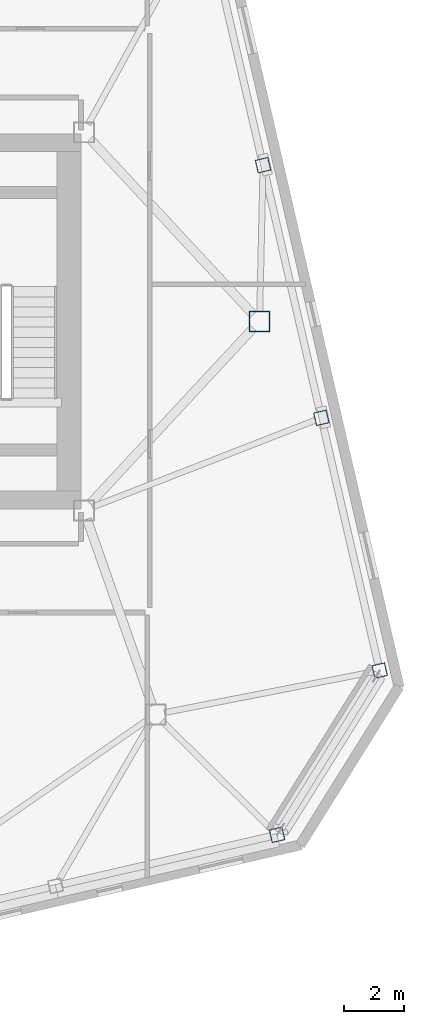
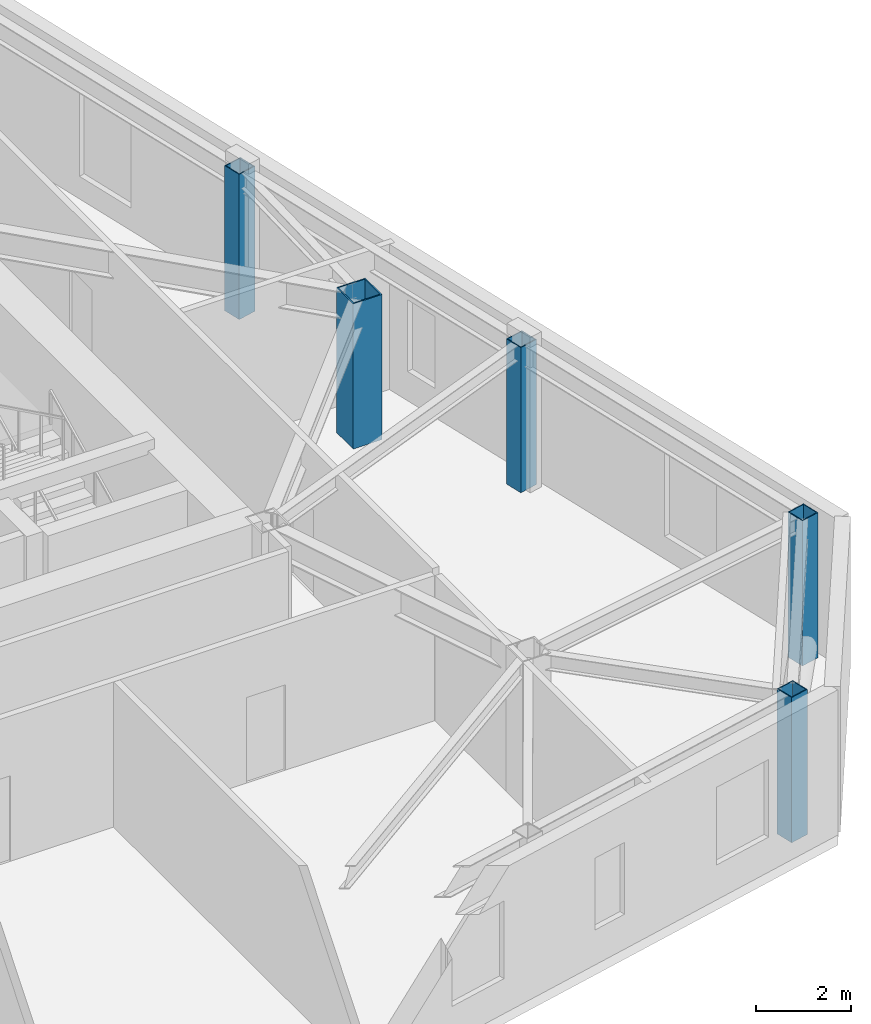
# One storey, part 4 of 22: 5 columns.
"""IFC4 building model written with IfcOpenShell, lengths in metres."""

from ifc_helpers import new_model, si_unit, direction, frame, origin, origin_2d, place, context, subcontext, project, spatial, hollow_rectangle, extrude, material, material_profile, profile_set, type_object, element, save


model = new_model("IFC4")

# Units and contexts
model_context = context("Model", 3, precision=1e-05, world=origin(), true_north=direction((0.0, 1.0)))
body_context = subcontext(model_context, "Body", "Model", "MODEL_VIEW")
ifc_project = project(units=[si_unit("LENGTHUNIT", "METRE"), si_unit("AREAUNIT", "SQUARE_METRE"), si_unit("VOLUMEUNIT", "CUBIC_METRE"), si_unit("PLANEANGLEUNIT", "RADIAN"), si_unit("MASSUNIT", "GRAM", prefix="KILO")], contexts=[model_context])

# Site, building, storey
site_placement = place(None, origin())
site = spatial("IfcSite", under=ifc_project, at=site_placement, CompositionType="ELEMENT")
building_placement = place(site_placement, origin())
building = spatial("IfcBuilding", under=site, at=building_placement, Name="Tavrogorsk Clinical Tower", CompositionType="ELEMENT")
storey_placement = place(building_placement, frame((0.0, 0.0, 313.0)))
storey = spatial("IfcBuildingStorey", under=building, at=storey_placement, Name="L73", CompositionType="ELEMENT", Elevation=313.0)

# Columns
ifc_material_1 = material(Name="Structural steel S440", Category="steel")
ifc_material_profile_1 = material_profile(ifc_material_1, hollow_rectangle(XDim=0.699951171875, YDim=0.699951171875, WallThickness=0.031982421875, at=origin_2d()), Name="BOX-700x700x32")
ifc_profile_set_1 = profile_set([ifc_material_profile_1], Name="Structural steel S440")
column_type_1 = type_object("IfcColumnType", Name="MegaCol_BOX700", PredefinedType="COLUMN", material=ifc_profile_set_1)
column_placement = place(storey_placement, frame((28.0, 0.0, 0.0), z_axis=(0.0, 0.0, 1.0), x_axis=(1.0, 0.0, 0.0)))
element("IfcColumn", 1, at=column_placement, inside=storey, type_object=column_type_1, Name="L73 Spine Pilotis Column MC-P6", PredefinedType="COLUMN", context=body_context, shape_type="SweptSolid", body=[
    extrude(hollow_rectangle(XDim=0.699951171875, YDim=0.699951171875, WallThickness=0.031982421875, at=origin_2d()), origin(), (0.0, 0.0, 1.0), 3.739990234375),
])
ifc_material_2 = material(Name="Structural steel S440", Category="steel")
ifc_material_profile_2 = material_profile(ifc_material_2, hollow_rectangle(XDim=0.449951171875, YDim=0.449951171875, WallThickness=0.02197265625, at=origin_2d()), Name="BOX-450x450x22")
ifc_profile_set_2 = profile_set([ifc_material_profile_2], Name="Structural steel S440")
column_type_2 = type_object("IfcColumnType", Name="PerimCol_B5_BOX450", PredefinedType="COLUMN", material=ifc_profile_set_2)
for number, where, z_axis, x_axis, name in (
    (2, (28.588623046875, -17.244873046875, 0.0), (0.0, 0.0, 1.0), (0.974370064785, 0.224951054344, 0.0), "L73 Perimeter Column S8"),
    (3, (32.035888671875, -11.72802734375, 0.0), (0.0, 0.0, 1.0), (0.974370064785, 0.224951054344, 0.0), "L73 Perimeter Column E1"),
    (4, (30.07666015625, -3.2412109375, 0.0), (0.0, 0.0, 1.0), (0.974370064785, 0.224951054344, 0.0), "L73 Perimeter Column E2"),
    (5, (28.1171875, 5.24560546875, 0.0), (0.0, 0.0, 1.0), (0.974370064785, 0.224951054344, 0.0), "L73 Perimeter Column E3"),
):
    element("IfcColumn", number, at=place(storey_placement, frame(where, z_axis=z_axis, x_axis=x_axis)), inside=storey, type_object=column_type_2, Name=name, PredefinedType="COLUMN", context=body_context, shape_type="SweptSolid", body=[
        extrude(hollow_rectangle(XDim=0.449951171875, YDim=0.449951171875, WallThickness=0.02197265625, at=origin_2d()), origin(), (0.0, 0.0, 1.0), 3.739990234375),
    ])

save(model, "model.ifc")
